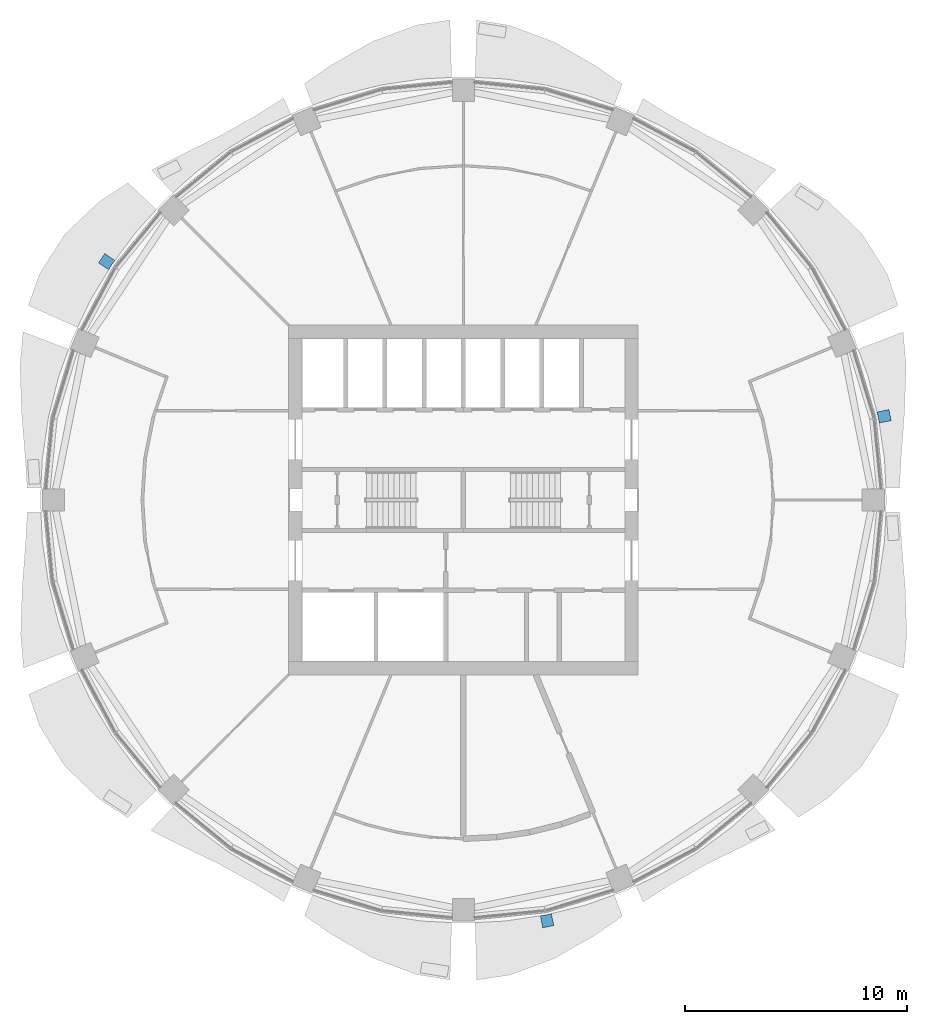
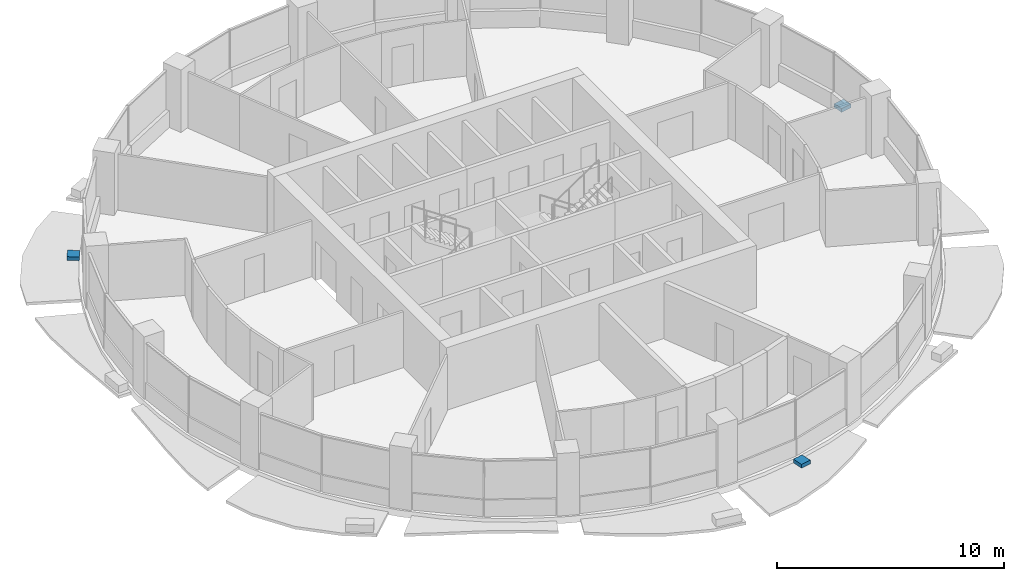
# One storey, part 11 of 15: 3 discrete accessories.
"""IFC4 building model written with IfcOpenShell, lengths in metres."""

from ifc_helpers import new_model, si_unit, direction, frame, origin, place, context, subcontext, project, spatial, polyline, outline, extrude, material, type_object, element, save


model = new_model("IFC4")

# Units and contexts
model_context = context("Model", 3, precision=1e-05, world=origin(), true_north=direction((0.0, 1.0)))
body_context = subcontext(model_context, "Body", "Model", "MODEL_VIEW")
ifc_project = project(units=[si_unit("LENGTHUNIT", "METRE"), si_unit("AREAUNIT", "SQUARE_METRE"), si_unit("VOLUMEUNIT", "CUBIC_METRE"), si_unit("PLANEANGLEUNIT", "RADIAN"), si_unit("MASSUNIT", "GRAM", prefix="KILO")], contexts=[model_context])

# Site, building, storey
site_placement = place(None, origin())
site = spatial("IfcSite", under=ifc_project, at=site_placement, CompositionType="ELEMENT")
building_placement = place(site_placement, origin())
building = spatial("IfcBuilding", under=site, at=building_placement, Name="Polderwave Tower", CompositionType="ELEMENT")
storey_placement = place(building_placement, frame((0.0, 0.0, 124.300048828125)))
storey = spatial("IfcBuildingStorey", under=building, at=storey_placement, Name="L32", CompositionType="ELEMENT", Elevation=124.300048828125)

# Discrete accessories
ifc_material = material(Name="Steel S355", Category="steel")
discrete_accessory_type = type_object("IfcDiscreteAccessoryType", Name="Band bracket pad", PredefinedType="BRACKET", material=ifc_material)
discrete_accessory_1_placement = place(storey_placement, frame((0.0, 0.0, -0.199951171875)))
element("IfcDiscreteAccessory", 1, at=discrete_accessory_1_placement, inside=storey, type_object=discrete_accessory_type, Name="Band bracket L32 1", PredefinedType="BRACKET", context=body_context, shape_type="SweptSolid", body=[
    extrude(outline(polyline([(18.73046875, 3.47119140625), (18.69384765625, 3.718505859375), (18.633056640625, 3.9609375), (19.1708984375, 4.0751953125), (19.271240234375, 3.5712890625), (18.73046875, 3.47119140625)])), origin(), (0.0, 0.0, 1.0), 0.199951171875),
])
discrete_accessory_2_placement = place(storey_placement, frame((0.0, 0.0, -0.199951171875)))
element("IfcDiscreteAccessory", 2, at=discrete_accessory_2_placement, inside=storey, type_object=discrete_accessory_type, Name="Band bracket L32 7", PredefinedType="BRACKET", context=body_context, shape_type="SweptSolid", body=[
    extrude(outline(polyline([(-15.698974609375, 10.7900390625), (-15.847900390625, 10.589111328125), (-15.976318359375, 10.374755859375), (-16.4375, 10.67431640625), (-16.152099609375, 11.1015625), (-15.698974609375, 10.7900390625)])), origin(), (0.0, 0.0, 1.0), 0.199951171875),
])
discrete_accessory_3_placement = place(storey_placement, frame((0.0, 0.0, -0.199951171875)))
element("IfcDiscreteAccessory", 3, at=discrete_accessory_3_placement, inside=storey, type_object=discrete_accessory_type, Name="Band bracket L32 13", PredefinedType="BRACKET", context=body_context, shape_type="SweptSolid", body=[
    extrude(outline(polyline([(3.47119140625, -18.73046875), (3.718505859375, -18.69384765625), (3.9609375, -18.633056640625), (4.0751953125, -19.1708984375), (3.5712890625, -19.271240234375), (3.47119140625, -18.73046875)])), origin(), (0.0, 0.0, 1.0), 0.199951171875),
])

save(model, "model.ifc")
